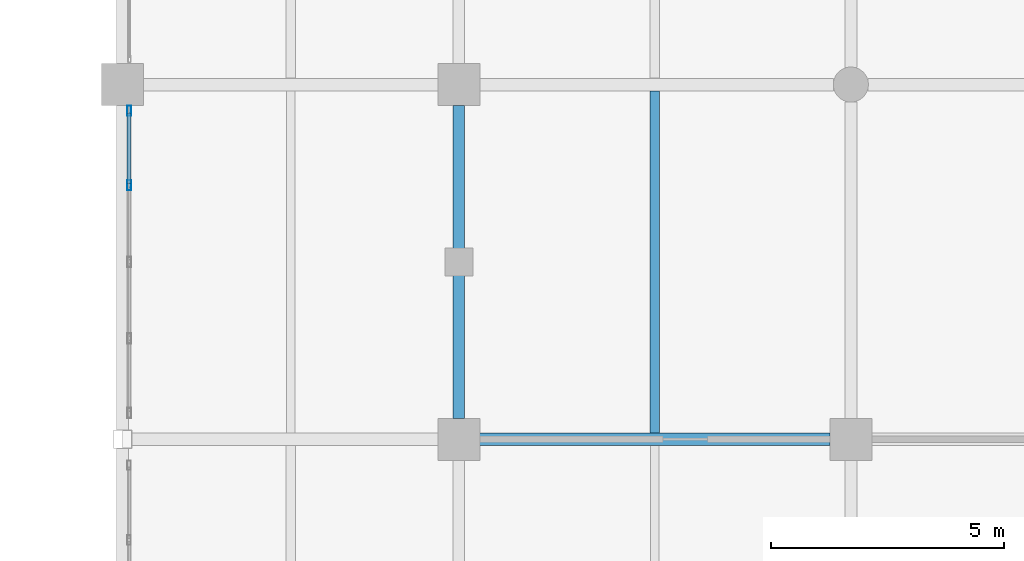
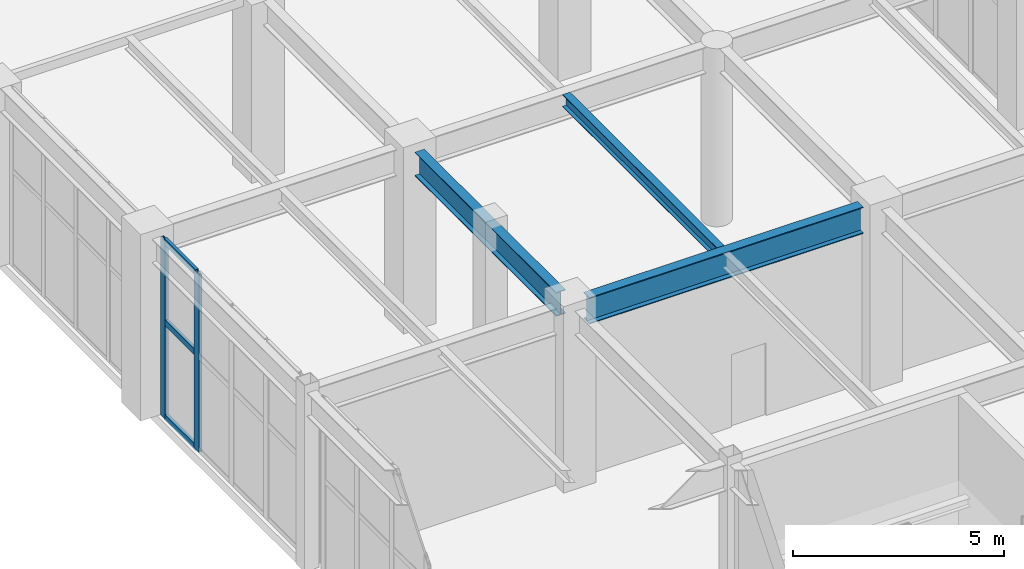
# One storey, part 47 of 139: 5 members, 3 beams, 1 element without a shape of its own.
"""IFC4 building model written with IfcOpenShell, lengths in metres."""

from ifc_helpers import new_model, si_unit, direction, frame, origin, origin_2d, place, context, subcontext, project, spatial, hollow_rectangle, i_section, extrude, material, layer, layer_set, material_profile, profile_set, type_object, element, aggregate, save


model = new_model("IFC4")

# Units and contexts
model_context = context("Model", 3, precision=1e-05, world=origin(), true_north=direction((0.0, 1.0)))
body_context = subcontext(model_context, "Body", "Model", "MODEL_VIEW")
ifc_project = project(units=[si_unit("LENGTHUNIT", "METRE"), si_unit("AREAUNIT", "SQUARE_METRE"), si_unit("VOLUMEUNIT", "CUBIC_METRE"), si_unit("PLANEANGLEUNIT", "RADIAN"), si_unit("MASSUNIT", "GRAM", prefix="KILO")], contexts=[model_context])

# Site, building, storey
site_placement = place(None, origin())
site = spatial("IfcSite", under=ifc_project, at=site_placement, CompositionType="ELEMENT")
building_placement = place(site_placement, origin())
building = spatial("IfcBuilding", under=site, at=building_placement, Name="Xicomal Pleat Aquarium", CompositionType="ELEMENT")
storey_placement = place(building_placement, origin())
storey = spatial("IfcBuildingStorey", under=building, at=storey_placement, Name="L01", CompositionType="ELEMENT", Elevation=0.0)

# Beams
ifc_material_1 = material(Name="Structural steel A992 Gr 50", Category="steel")
ifc_material_profile_1 = material_profile(ifc_material_1, i_section(OverallWidth=0.205078125, OverallDepth=0.35400390625, WebThickness=0.009521484375, FlangeThickness=0.016845703125, at=origin_2d()), Name="IR 360x79")
ifc_profile_set_1 = profile_set([ifc_material_profile_1], Name="Structural steel A992 Gr 50")
beam_type_1 = type_object("IfcBeamType", Name="BM-STL-IR360", PredefinedType="JOIST", material=ifc_profile_set_1)
beam_1_placement = place(storey_placement, frame((14.39990234375, 83.737060546875, 4.98291015625), z_axis=(0.0, 1.0, 0.0), x_axis=(-1.0, 0.0, 0.0)))
element("IfcBeam", 1, at=beam_1_placement, inside=storey, type_object=beam_type_1, Name="L01 framing beam FBJ-L01-02-M-1", PredefinedType="JOIST", context=body_context, shape_type="SweptSolid", body=[
    extrude(i_section(OverallWidth=0.205078125, OverallDepth=0.35400390625, WebThickness=0.009521484375, FlangeThickness=0.016845703125, at=origin_2d()), origin(), (0.0, 0.0, 1.0), 7.325927734375),
])
ifc_material_2 = material(Name="Structural steel A992 Gr 50", Category="steel")
ifc_material_profile_2 = material_profile(ifc_material_2, i_section(OverallWidth=0.256103515625, OverallDepth=0.693115234375, WebThickness=0.014404296875, FlangeThickness=0.023681640625, at=origin_2d()), Name="IR 690x170")
ifc_profile_set_2 = profile_set([ifc_material_profile_2], Name="Structural steel A992 Gr 50")
beam_type_2 = type_object("IfcBeamType", Name="BM-STL-IR690", PredefinedType="BEAM", material=ifc_profile_set_2)
beam_2_placement = place(storey_placement, frame((10.199951171875, 84.044921875, 4.8134765625), z_axis=(0.0, 1.0, 0.0), x_axis=(-1.0, 0.0, 0.0)))
element("IfcBeam", 2, at=beam_2_placement, inside=storey, type_object=beam_type_2, Name="L01 framing beam FGY-L01-02-M-N", PredefinedType="BEAM", context=body_context, shape_type="SweptSolid", body=[
    extrude(i_section(OverallWidth=0.256103515625, OverallDepth=0.693115234375, WebThickness=0.014404296875, FlangeThickness=0.023681640625, at=origin_2d()), origin(), (0.0, 0.0, 1.0), 6.7099609375),
])
ifc_material_3 = material(Name="Structural steel A992 Gr 50", Category="steel")
ifc_material_profile_3 = material_profile(ifc_material_3, i_section(OverallWidth=0.26806640625, OverallDepth=0.77001953125, WebThickness=0.015625, FlangeThickness=0.025390625, at=origin_2d()), Name="IR 760x196")
ifc_profile_set_3 = profile_set([ifc_material_profile_3], Name="Structural steel A992 Gr 50")
beam_type_3 = type_object("IfcBeamType", Name="BM-STL-IR760", PredefinedType="BEAM", material=ifc_profile_set_3)
beam_3_placement = place(storey_placement, frame((10.64501953125, 83.60009765625, 4.77490234375), z_axis=(1.0, 0.0, 0.0), x_axis=(0.0, 1.0, 0.0)))
element("IfcBeam", 3, at=beam_3_placement, inside=storey, type_object=beam_type_3, Name="L01 framing beam FGX-L01-02-03-M", PredefinedType="BEAM", context=body_context, shape_type="SweptSolid", body=[
    extrude(i_section(OverallWidth=0.26806640625, OverallDepth=0.77001953125, WebThickness=0.015625, FlangeThickness=0.025390625, at=origin_2d()), origin(), (0.0, 0.0, 1.0), 7.510009765625),
])

# Curtain wall, members
ifc_material_4 = material(Name="Bronze anodized aluminium 6063-T6", Category="aluminium")
ifc_layer = layer(ifc_material_4, 0.159912109375)
ifc_layer_set = layer_set([ifc_layer], Name="Bronze anodized aluminium 6063-T6")
curtain_wall_type = type_object("IfcCurtainWallType", Name="CW-SYS-11", PredefinedType="NOTDEFINED", material=ifc_layer_set)
curtain_wall_placement = place(storey_placement, origin())
curtain_wall = element("IfcCurtainWall", 4, at=curtain_wall_placement, inside=storey, type_object=curtain_wall_type, Name="L01 unitised curtain wall CW-L01-011", PredefinedType="NOTDEFINED")
ifc_material_5 = material(Name="Bronze anodized aluminium 6063-T6", Category="aluminium")
ifc_material_profile_4 = material_profile(ifc_material_5, hollow_rectangle(XDim=0.0849609375, YDim=0.219970703125, WallThickness=0.0048828125, at=origin_2d()), Name="ALU MULL 85x220")
ifc_profile_set_4 = profile_set([ifc_material_profile_4], Name="Bronze anodized aluminium 6063-T6")
member_type_1 = type_object("IfcMemberType", Name="CWM-85x220", PredefinedType="MULLION", material=ifc_profile_set_4)
member_1_placement = place(storey_placement, frame((3.139892578125, 89.0400390625, 0.0), z_axis=(0.0, 0.0, 1.0), x_axis=(-1.0, 0.0, 0.0)))
member_1 = element("IfcMember", 5, at=member_1_placement, type_object=member_type_1, Name="CW-11 mullion 4", PredefinedType="MULLION", context=body_context, shape_type="SweptSolid", body=[
    extrude(hollow_rectangle(XDim=0.0849609375, YDim=0.219970703125, WallThickness=0.0048828125, at=origin_2d()), origin(), (0.0, 0.0, 1.0), 5.159912109375),
])
member_2_placement = place(storey_placement, frame((3.139892578125, 90.637451171875, 0.0), z_axis=(0.0, 0.0, 1.0), x_axis=(-1.0, 0.0, 0.0)))
member_2 = element("IfcMember", 6, at=member_2_placement, type_object=member_type_1, Name="CW-11 mullion 5", PredefinedType="MULLION", context=body_context, shape_type="SweptSolid", body=[
    extrude(hollow_rectangle(XDim=0.0849609375, YDim=0.219970703125, WallThickness=0.0048828125, at=origin_2d()), origin(), (0.0, 0.0, 1.0), 5.159912109375),
])
ifc_material_6 = material(Name="Bronze anodized aluminium 6063-T6", Category="aluminium")
ifc_material_profile_5 = material_profile(ifc_material_6, hollow_rectangle(XDim=0.0849609375, YDim=0.169921875, WallThickness=0.0048828125, at=origin_2d()), Name="ALU TRAN 85x170")
ifc_profile_set_5 = profile_set([ifc_material_profile_5], Name="Bronze anodized aluminium 6063-T6")
member_type_2 = type_object("IfcMemberType", Name="CWT-85x170", PredefinedType="USERDEFINED", material=ifc_profile_set_5)
member_3_placement = place(storey_placement, frame((3.139892578125, 89.08251953125, 0.04248046875), z_axis=(0.0, 1.0, 0.0), x_axis=(-1.0, 0.0, 0.0)))
member_3 = element("IfcMember", 7, at=member_3_placement, type_object=member_type_2, Name="CW-11 transom 4.1", ObjectType="TRANSOM", PredefinedType="USERDEFINED", context=body_context, shape_type="SweptSolid", body=[
    extrude(hollow_rectangle(XDim=0.0849609375, YDim=0.169921875, WallThickness=0.0048828125, at=origin_2d()), origin(), (0.0, 0.0, 1.0), 1.512451171875),
])
member_4_placement = place(storey_placement, frame((3.139892578125, 89.08251953125, 2.785888671875), z_axis=(0.0, 1.0, 0.0), x_axis=(-1.0, 0.0, 0.0)))
member_4 = element("IfcMember", 8, at=member_4_placement, type_object=member_type_2, Name="CW-11 transom 4.2", ObjectType="TRANSOM", PredefinedType="USERDEFINED", context=body_context, shape_type="SweptSolid", body=[
    extrude(hollow_rectangle(XDim=0.0849609375, YDim=0.169921875, WallThickness=0.0048828125, at=origin_2d()), origin(), (0.0, 0.0, 1.0), 1.512451171875),
])
member_5_placement = place(storey_placement, frame((3.139892578125, 89.08251953125, 5.117431640625), z_axis=(0.0, 1.0, 0.0), x_axis=(-1.0, 0.0, 0.0)))
member_5 = element("IfcMember", 9, at=member_5_placement, type_object=member_type_2, Name="CW-11 transom 4.3", ObjectType="TRANSOM", PredefinedType="USERDEFINED", context=body_context, shape_type="SweptSolid", body=[
    extrude(hollow_rectangle(XDim=0.0849609375, YDim=0.169921875, WallThickness=0.0048828125, at=origin_2d()), origin(), (0.0, 0.0, 1.0), 1.512451171875),
])
aggregate(curtain_wall, [member_1, member_2, member_3, member_4, member_5])

save(model, "model.ifc")
